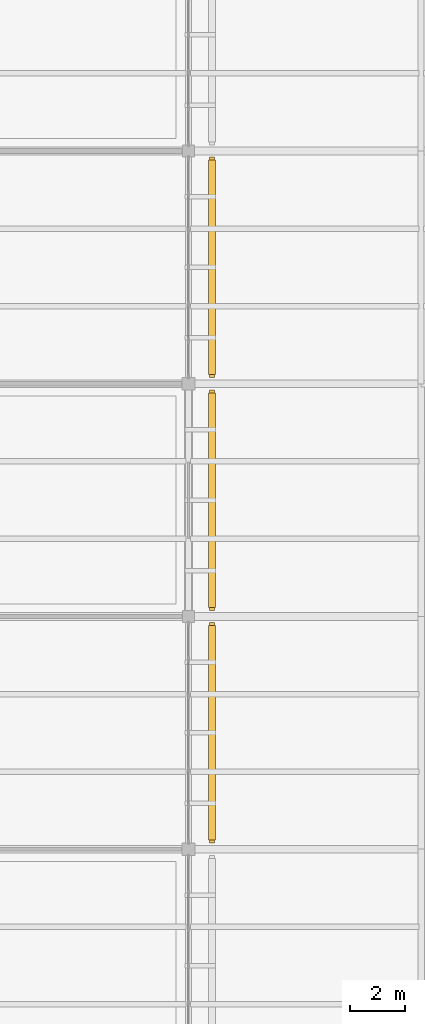
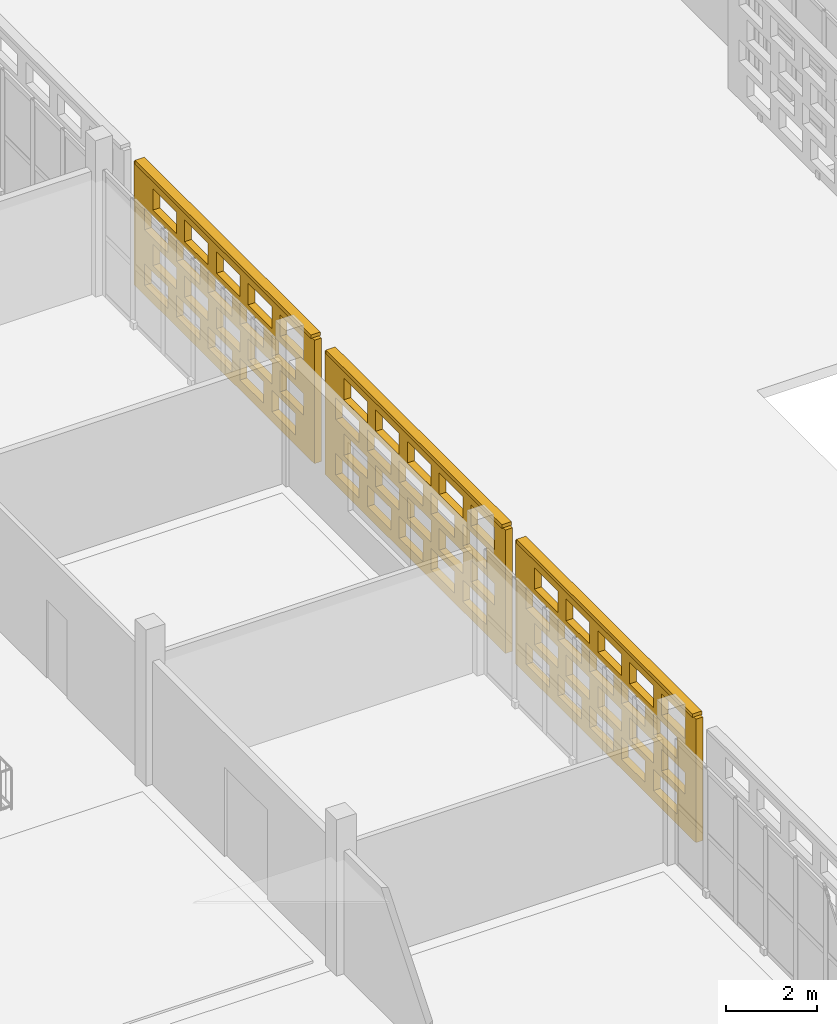
# One storey, part 130 of 166: 3 coverings, 3 shading devices, 60 openings.
"""IFC4 building model written with IfcOpenShell, lengths in metres."""

import ifcopenshell
import ifcopenshell.guid

model = None  # the IFC model being written
_history = None  # IfcOwnerHistory: only IFC2X3 demands one
_inside = {}  # id of a spatial element -> (the spatial element, [elements in it])
_under = {}  # id of a project, library or spatial element -> (it, [spatial elements below it])
_declared = {}  # id of a project -> (the project, [libraries it declares])
_typed = {}  # id of a type object -> (the type object, [elements of that type])
_made_of = {}  # id of a material, layer set ... -> (it, [elements and type objects made of it])


def new_model(schema):
    """Start an empty IFC model of exactly this schema.

    Asked for "IFC4X3", IfcOpenShell would pick the latest addendum, in which some entities
    have other attributes; the version numbers below select the first issue.
    IFC2X3 requires an IfcOwnerHistory on every rooted entity: one is made here for all.
    """
    global model, _history
    if schema == "IFC4X3":
        model = ifcopenshell.file(schema_version=(4, 3, 0, 0))
    else:
        model = ifcopenshell.file(schema=schema)
    _inside.clear()
    _under.clear()
    _declared.clear()
    _typed.clear()
    _made_of.clear()
    _history = None
    if model.schema == "IFC2X3":
        org = make("IfcOrganization", Name="unknown")
        user = make(
            "IfcPersonAndOrganization",
            ThePerson=make("IfcPerson", FamilyName="unknown"),
            TheOrganization=org,
        )
        app = make(
            "IfcApplication",
            ApplicationDeveloper=org,
            Version="unknown",
            ApplicationFullName="unknown",
            ApplicationIdentifier="unknown",
        )
        _history = make(
            "IfcOwnerHistory",
            OwningUser=user,
            OwningApplication=app,
            ChangeAction="ADDED",
            CreationDate=0,
        )
    return model


def make(cls, **values):
    """One entity of the class cls with the attributes given. An attribute that is None is left unset."""
    return model.create_entity(
        cls, **{name: value for name, value in values.items() if value is not None}
    )


def rooted(cls, **values):
    """An entity with a GlobalId (a new one), such as an element, a storey or a relation."""
    return make(cls, GlobalId=ifcopenshell.guid.new(), OwnerHistory=_history, **values)


def si_unit(unit_type, name, prefix=None):
    """IfcSIUnit, for example si_unit("LENGTHUNIT", "METRE", prefix="MILLI")."""
    return make("IfcSIUnit", UnitType=unit_type, Prefix=prefix, Name=name)


def assignment(units):
    """IfcUnitAssignment: the units of a project."""
    return None if units is None else make("IfcUnitAssignment", Units=units)


def point(xyz):
    """IfcCartesianPoint."""
    return None if xyz is None else make("IfcCartesianPoint", Coordinates=xyz)


def direction(xyz):
    """IfcDirection."""
    return None if xyz is None else make("IfcDirection", DirectionRatios=xyz)


def frame(location, z_axis=None, x_axis=None):
    """IfcAxis2Placement3D, a coordinate frame: its origin and axes. An axis left out is left unset."""
    return make(
        "IfcAxis2Placement3D",
        Location=point(location),
        Axis=direction(z_axis),
        RefDirection=direction(x_axis),
    )


def frame_2d(location, x_axis=None):
    """IfcAxis2Placement2D, a coordinate frame in the plane: its origin and x axis."""
    return make(
        "IfcAxis2Placement2D", Location=point(location), RefDirection=direction(x_axis)
    )


def origin():
    """The frame at (0, 0, 0) with its axes left unset."""
    return frame((0.0, 0.0, 0.0))


def origin_2d():
    """The frame at (0, 0) in the plane with its x axis left unset."""
    return frame_2d((0.0, 0.0))


def place(relative_to, where):
    """IfcLocalPlacement: puts the frame where relative to a parent placement (None: the world)."""
    return make(
        "IfcLocalPlacement", PlacementRelTo=relative_to, RelativePlacement=where
    )


def context(
    kind, dimensions, precision=None, world=None, true_north=None, identifier=None
):
    """IfcGeometricRepresentationContext, for example the 3D "Model" context."""
    return make(
        "IfcGeometricRepresentationContext",
        ContextIdentifier=identifier,
        ContextType=kind,
        CoordinateSpaceDimension=dimensions,
        Precision=precision,
        WorldCoordinateSystem=world,
        TrueNorth=true_north,
    )


def subcontext(parent, identifier, kind, view, scale=None):
    """IfcGeometricRepresentationSubContext, for example "Body" below "Model"."""
    return make(
        "IfcGeometricRepresentationSubContext",
        ContextIdentifier=identifier,
        ContextType=kind,
        ParentContext=parent,
        TargetScale=scale,
        TargetView=view,
    )


def project(units=None, contexts=None):
    """IfcProject with its units and contexts."""
    return rooted(
        "IfcProject",
        Name="project",
        RepresentationContexts=contexts,
        UnitsInContext=assignment(units),
    )


def spatial(cls, under=None, at=None, **own):
    """A site, building, storey or space (cls), placed at a placement, below another one or the project."""
    s = rooted(cls, ObjectPlacement=at, **own)
    if under is not None:
        _under.setdefault(under.id(), (under, []))[1].append(s)
    return s


def profile(cls, at=None, kind="AREA", **sizes):
    """A parametric profile (cls). Its sizes go by their IFC names, for example OverallWidth=200.0."""
    return make(cls, ProfileType=kind, Position=at, **sizes)


def rectangle(**sizes):
    """IfcRectangleProfileDef."""
    return profile("IfcRectangleProfileDef", **sizes)


def extrude(swept, where, along, depth):
    """IfcExtrudedAreaSolid: the profile swept, set in the frame where, extruded along a direction by depth."""
    return make(
        "IfcExtrudedAreaSolid",
        SweptArea=swept,
        Position=where,
        ExtrudedDirection=direction(along),
        Depth=depth,
    )


def shape(context_of_items, identifier, shape_type, items):
    """IfcShapeRepresentation: the items that make up one representation, for example the "Body"."""
    return make(
        "IfcShapeRepresentation",
        ContextOfItems=context_of_items,
        RepresentationIdentifier=identifier,
        RepresentationType=shape_type,
        Items=items,
    )


def material(Name=None, Category=None):
    """IfcMaterial."""
    return make("IfcMaterial", Name=Name, Category=Category)


def layer(
    of_material, thickness, ventilated=None, Name=None, Category=None, Priority=None
):
    """IfcMaterialLayer: one layer of a wall or slab, of a material (None: an air gap)."""
    return make(
        "IfcMaterialLayer",
        Material=of_material,
        LayerThickness=thickness,
        IsVentilated=ventilated,
        Name=Name,
        Category=Category,
        Priority=Priority,
    )


def layer_set(layers, Name=None):
    """IfcMaterialLayerSet."""
    return make("IfcMaterialLayerSet", MaterialLayers=layers, LayerSetName=Name)


def made_of(thing, what):
    """Note that an element or type object is made of a material, layer set ...; save() writes the relation."""
    if what is not None:
        _made_of.setdefault(what.id(), (what, []))[1].append(thing)
    return thing


def type_object(cls, material=None, **own):
    """A type object (cls), such as IfcWallType, which elements share."""
    return made_of(rooted(cls, **own), material)


def element(
    cls,
    number,
    at=None,
    inside=None,
    cuts=None,
    type_object=None,
    material=None,
    context=None,
    identifier="Body",
    shape_type=None,
    held_by="IfcProductDefinitionShape",
    body=None,
    shapes=None,
    **own,
):
    """One element of the class cls, such as IfcWall. Its Tag is "e" and its number.

    at: its placement. inside: the storey or other place that contains it. cuts: it is an
    opening in that element (IfcRelVoidsElement). A single representation is given by context,
    identifier, shape_type and body (its items); several are given by shapes. held_by: the class
    of the entity that holds the representations. save() writes the other relations.
    """
    e = rooted(cls, Tag="e%d" % number, ObjectPlacement=at, **own)
    if body is not None:
        shapes = [shape(context, identifier, shape_type, body)]
    if shapes is not None:
        e.Representation = make(held_by, Representations=shapes)
    if inside is not None:
        _inside.setdefault(inside.id(), (inside, []))[1].append(e)
    if cuts is not None:
        rooted(
            "IfcRelVoidsElement", RelatingBuildingElement=cuts, RelatedOpeningElement=e
        )
    if type_object is not None:
        _typed.setdefault(type_object.id(), (type_object, []))[1].append(e)
    return made_of(e, material)


def aggregate(whole, parts):
    """IfcRelAggregates: a whole, such as a stair, and the parts it consists of."""
    return rooted("IfcRelAggregates", RelatingObject=whole, RelatedObjects=parts)


def save(model, path):
    """Write the relations noted so far, then the file.

    IfcRelAggregates (storeys below a building ...), IfcRelContainedInSpatialStructure (elements
    in a storey), IfcRelDefinesByType, IfcRelAssociatesMaterial and IfcRelDeclares: one each for
    every whole, place, type object, material and project.
    """
    for whole, parts in _under.values():
        aggregate(whole, parts)
    for where, things in _inside.values():
        rooted(
            "IfcRelContainedInSpatialStructure",
            RelatedElements=things,
            RelatingStructure=where,
        )
    for kind, things in _typed.values():
        rooted("IfcRelDefinesByType", RelatedObjects=things, RelatingType=kind)
    for what, things in _made_of.values():
        rooted("IfcRelAssociatesMaterial", RelatedObjects=things, RelatingMaterial=what)
    for by, libraries in _declared.values():
        rooted("IfcRelDeclares", RelatingContext=by, RelatedDefinitions=libraries)
    model.write(path)


model = new_model("IFC4")

# Units and contexts
model_context = context("Model", 3, precision=1e-05, world=origin(), true_north=direction((0.0, 1.0)))
body_context = subcontext(model_context, "Body", "Model", "MODEL_VIEW")
ifc_project = project(units=[si_unit("LENGTHUNIT", "METRE"), si_unit("AREAUNIT", "SQUARE_METRE"), si_unit("VOLUMEUNIT", "CUBIC_METRE"), si_unit("PLANEANGLEUNIT", "RADIAN"), si_unit("MASSUNIT", "GRAM", prefix="KILO")], contexts=[model_context])

# Site, building, storey
site_placement = place(None, origin())
site = spatial("IfcSite", under=ifc_project, at=site_placement, CompositionType="ELEMENT")
building_placement = place(site_placement, origin())
building = spatial("IfcBuilding", under=site, at=building_placement, Name="Varnapada Polytechnic", CompositionType="ELEMENT")
storey_placement = place(building_placement, frame((0.0, 0.0, 9.60009765625)))
storey = spatial("IfcBuildingStorey", under=building, at=storey_placement, Name="L02", CompositionType="ELEMENT", Elevation=9.60009765625)

# Covering, openings
ifc_material = material(Name="Earth-toned architectural terracotta screen block", Category="masonry")
ifc_layer_1 = layer(ifc_material, 0.1201171875)
ifc_layer_set_1 = layer_set([ifc_layer_1], Name="Earth-toned architectural terracotta screen block")
covering_type = type_object("IfcCoveringType", Name="Terracotta Screen Cladding CLD-01", PredefinedType="CLADDING", material=ifc_layer_set_1)
covering_1_placement = place(storey_placement, frame((34.449951171875, 75.3798828125, 0.0), z_axis=(0.0, 0.0, 1.0), x_axis=(0.0, -1.0, 0.0)))
covering_1 = element("IfcCovering", 1, at=covering_1_placement, inside=storey, type_object=covering_type, Name="L02 perforated terracotta block screen (26)", PredefinedType="CLADDING", context=body_context, shape_type="SweptSolid", body=[
    extrude(rectangle(XDim=7.949951171875, YDim=0.179931640625, at=frame_2d((3.97509765625, 0.0))), origin(), (0.0, 0.0, 1.0), 3.31982421875),
])
opening_1_placement = place(covering_1_placement, frame((0.47509765625, 0.0, 0.265625)))
element("IfcOpeningElement", 2, at=opening_1_placement, cuts=covering_1, Name="Screen perforation TBS-L02-025.1", PredefinedType="OPENING", context=body_context, shape_type="SweptSolid", body=[
    extrude(rectangle(XDim=1.0400390625, YDim=0.5810546875, at=frame_2d((0.52001953125, 0.29052734375))), frame((0.0, 0.099853515625, 0.0), z_axis=(0.0, -1.0, 0.0), x_axis=(1.0, 0.0, 0.0)), (0.0, 0.0, 1.0), 0.199951171875),
])
opening_2_placement = place(covering_1_placement, frame((1.875, 0.0, 0.265625)))
element("IfcOpeningElement", 3, at=opening_2_placement, cuts=covering_1, Name="Screen perforation TBS-L02-025.2", PredefinedType="OPENING", context=body_context, shape_type="SweptSolid", body=[
    extrude(rectangle(XDim=1.0400390625, YDim=0.5810546875, at=frame_2d((0.52001953125, 0.29052734375))), frame((0.0, 0.099853515625, 0.0), z_axis=(0.0, -1.0, 0.0), x_axis=(1.0, 0.0, 0.0)), (0.0, 0.0, 1.0), 0.199951171875),
])
opening_3_placement = place(covering_1_placement, frame((3.27490234375, 0.0, 0.265625)))
element("IfcOpeningElement", 4, at=opening_3_placement, cuts=covering_1, Name="Screen perforation TBS-L02-025.3", PredefinedType="OPENING", context=body_context, shape_type="SweptSolid", body=[
    extrude(rectangle(XDim=1.0400390625, YDim=0.5810546875, at=frame_2d((0.52001953125, 0.29052734375))), frame((0.0, 0.099853515625, 0.0), z_axis=(0.0, -1.0, 0.0), x_axis=(1.0, 0.0, 0.0)), (0.0, 0.0, 1.0), 0.199951171875),
])
opening_4_placement = place(covering_1_placement, frame((4.675048828125, 0.0, 0.265625)))
element("IfcOpeningElement", 5, at=opening_4_placement, cuts=covering_1, Name="Screen perforation TBS-L02-025.4", PredefinedType="OPENING", context=body_context, shape_type="SweptSolid", body=[
    extrude(rectangle(XDim=1.0400390625, YDim=0.5810546875, at=frame_2d((0.52001953125, 0.29052734375))), frame((0.0, 0.099853515625, 0.0), z_axis=(0.0, -1.0, 0.0), x_axis=(1.0, 0.0, 0.0)), (0.0, 0.0, 1.0), 0.199951171875),
])
opening_5_placement = place(covering_1_placement, frame((6.074951171875, 0.0, 0.265625)))
element("IfcOpeningElement", 6, at=opening_5_placement, cuts=covering_1, Name="Screen perforation TBS-L02-025.5", PredefinedType="OPENING", context=body_context, shape_type="SweptSolid", body=[
    extrude(rectangle(XDim=1.0400390625, YDim=0.5810546875, at=frame_2d((0.52001953125, 0.29052734375))), frame((0.0, 0.099853515625, 0.0), z_axis=(0.0, -1.0, 0.0), x_axis=(1.0, 0.0, 0.0)), (0.0, 0.0, 1.0), 0.199951171875),
])
opening_6_placement = place(covering_1_placement, frame((0.8349609375, 0.0, 1.0126953125)))
element("IfcOpeningElement", 7, at=opening_6_placement, cuts=covering_1, Name="Screen perforation TBS-L02-025.6", PredefinedType="OPENING", context=body_context, shape_type="SweptSolid", body=[
    extrude(rectangle(XDim=1.0400390625, YDim=0.5810546875, at=frame_2d((0.52001953125, 0.29052734375))), frame((0.0, 0.099853515625, 0.0), z_axis=(0.0, -1.0, 0.0), x_axis=(1.0, 0.0, 0.0)), (0.0, 0.0, 1.0), 0.199951171875),
])
opening_7_placement = place(covering_1_placement, frame((2.235107421875, 0.0, 1.0126953125)))
element("IfcOpeningElement", 8, at=opening_7_placement, cuts=covering_1, Name="Screen perforation TBS-L02-025.7", PredefinedType="OPENING", context=body_context, shape_type="SweptSolid", body=[
    extrude(rectangle(XDim=1.0400390625, YDim=0.5810546875, at=frame_2d((0.52001953125, 0.29052734375))), frame((0.0, 0.099853515625, 0.0), z_axis=(0.0, -1.0, 0.0), x_axis=(1.0, 0.0, 0.0)), (0.0, 0.0, 1.0), 0.199951171875),
])
opening_8_placement = place(covering_1_placement, frame((3.635009765625, 0.0, 1.0126953125)))
element("IfcOpeningElement", 9, at=opening_8_placement, cuts=covering_1, Name="Screen perforation TBS-L02-025.8", PredefinedType="OPENING", context=body_context, shape_type="SweptSolid", body=[
    extrude(rectangle(XDim=1.0400390625, YDim=0.5810546875, at=frame_2d((0.52001953125, 0.29052734375))), frame((0.0, 0.099853515625, 0.0), z_axis=(0.0, -1.0, 0.0), x_axis=(1.0, 0.0, 0.0)), (0.0, 0.0, 1.0), 0.199951171875),
])
opening_9_placement = place(covering_1_placement, frame((5.034912109375, 0.0, 1.0126953125)))
element("IfcOpeningElement", 10, at=opening_9_placement, cuts=covering_1, Name="Screen perforation TBS-L02-025.9", PredefinedType="OPENING", context=body_context, shape_type="SweptSolid", body=[
    extrude(rectangle(XDim=1.0400390625, YDim=0.5810546875, at=frame_2d((0.52001953125, 0.29052734375))), frame((0.0, 0.099853515625, 0.0), z_axis=(0.0, -1.0, 0.0), x_axis=(1.0, 0.0, 0.0)), (0.0, 0.0, 1.0), 0.199951171875),
])
opening_10_placement = place(covering_1_placement, frame((6.43505859375, 0.0, 1.0126953125)))
element("IfcOpeningElement", 11, at=opening_10_placement, cuts=covering_1, Name="Screen perforation TBS-L02-025.10", PredefinedType="OPENING", context=body_context, shape_type="SweptSolid", body=[
    extrude(rectangle(XDim=1.0400390625, YDim=0.5810546875, at=frame_2d((0.52001953125, 0.29052734375))), frame((0.0, 0.099853515625, 0.0), z_axis=(0.0, -1.0, 0.0), x_axis=(1.0, 0.0, 0.0)), (0.0, 0.0, 1.0), 0.199951171875),
])
opening_11_placement = place(covering_1_placement, frame((0.47509765625, 0.0, 1.759521484375)))
element("IfcOpeningElement", 12, at=opening_11_placement, cuts=covering_1, Name="Screen perforation TBS-L02-025.11", PredefinedType="OPENING", context=body_context, shape_type="SweptSolid", body=[
    extrude(rectangle(XDim=1.0400390625, YDim=0.5810546875, at=frame_2d((0.52001953125, 0.29052734375))), frame((0.0, 0.099853515625, 0.0), z_axis=(0.0, -1.0, 0.0), x_axis=(1.0, 0.0, 0.0)), (0.0, 0.0, 1.0), 0.199951171875),
])
opening_12_placement = place(covering_1_placement, frame((1.875, 0.0, 1.759521484375)))
element("IfcOpeningElement", 13, at=opening_12_placement, cuts=covering_1, Name="Screen perforation TBS-L02-025.12", PredefinedType="OPENING", context=body_context, shape_type="SweptSolid", body=[
    extrude(rectangle(XDim=1.0400390625, YDim=0.5810546875, at=frame_2d((0.52001953125, 0.29052734375))), frame((0.0, 0.099853515625, 0.0), z_axis=(0.0, -1.0, 0.0), x_axis=(1.0, 0.0, 0.0)), (0.0, 0.0, 1.0), 0.199951171875),
])
opening_13_placement = place(covering_1_placement, frame((3.27490234375, 0.0, 1.759521484375)))
element("IfcOpeningElement", 14, at=opening_13_placement, cuts=covering_1, Name="Screen perforation TBS-L02-025.13", PredefinedType="OPENING", context=body_context, shape_type="SweptSolid", body=[
    extrude(rectangle(XDim=1.0400390625, YDim=0.5810546875, at=frame_2d((0.52001953125, 0.29052734375))), frame((0.0, 0.099853515625, 0.0), z_axis=(0.0, -1.0, 0.0), x_axis=(1.0, 0.0, 0.0)), (0.0, 0.0, 1.0), 0.199951171875),
])
opening_14_placement = place(covering_1_placement, frame((4.675048828125, 0.0, 1.759521484375)))
element("IfcOpeningElement", 15, at=opening_14_placement, cuts=covering_1, Name="Screen perforation TBS-L02-025.14", PredefinedType="OPENING", context=body_context, shape_type="SweptSolid", body=[
    extrude(rectangle(XDim=1.0400390625, YDim=0.5810546875, at=frame_2d((0.52001953125, 0.29052734375))), frame((0.0, 0.099853515625, 0.0), z_axis=(0.0, -1.0, 0.0), x_axis=(1.0, 0.0, 0.0)), (0.0, 0.0, 1.0), 0.199951171875),
])
opening_15_placement = place(covering_1_placement, frame((6.074951171875, 0.0, 1.759521484375)))
element("IfcOpeningElement", 16, at=opening_15_placement, cuts=covering_1, Name="Screen perforation TBS-L02-025.15", PredefinedType="OPENING", context=body_context, shape_type="SweptSolid", body=[
    extrude(rectangle(XDim=1.0400390625, YDim=0.5810546875, at=frame_2d((0.52001953125, 0.29052734375))), frame((0.0, 0.099853515625, 0.0), z_axis=(0.0, -1.0, 0.0), x_axis=(1.0, 0.0, 0.0)), (0.0, 0.0, 1.0), 0.199951171875),
])
opening_16_placement = place(covering_1_placement, frame((0.8349609375, 0.0, 2.506591796875)))
element("IfcOpeningElement", 17, at=opening_16_placement, cuts=covering_1, Name="Screen perforation TBS-L02-025.16", PredefinedType="OPENING", context=body_context, shape_type="SweptSolid", body=[
    extrude(rectangle(XDim=1.0400390625, YDim=0.5810546875, at=frame_2d((0.52001953125, 0.29052734375))), frame((0.0, 0.099853515625, 0.0), z_axis=(0.0, -1.0, 0.0), x_axis=(1.0, 0.0, 0.0)), (0.0, 0.0, 1.0), 0.199951171875),
])
opening_17_placement = place(covering_1_placement, frame((2.235107421875, 0.0, 2.506591796875)))
element("IfcOpeningElement", 18, at=opening_17_placement, cuts=covering_1, Name="Screen perforation TBS-L02-025.17", PredefinedType="OPENING", context=body_context, shape_type="SweptSolid", body=[
    extrude(rectangle(XDim=1.0400390625, YDim=0.5810546875, at=frame_2d((0.52001953125, 0.29052734375))), frame((0.0, 0.099853515625, 0.0), z_axis=(0.0, -1.0, 0.0), x_axis=(1.0, 0.0, 0.0)), (0.0, 0.0, 1.0), 0.199951171875),
])
opening_18_placement = place(covering_1_placement, frame((3.635009765625, 0.0, 2.506591796875)))
element("IfcOpeningElement", 19, at=opening_18_placement, cuts=covering_1, Name="Screen perforation TBS-L02-025.18", PredefinedType="OPENING", context=body_context, shape_type="SweptSolid", body=[
    extrude(rectangle(XDim=1.0400390625, YDim=0.5810546875, at=frame_2d((0.52001953125, 0.29052734375))), frame((0.0, 0.099853515625, 0.0), z_axis=(0.0, -1.0, 0.0), x_axis=(1.0, 0.0, 0.0)), (0.0, 0.0, 1.0), 0.199951171875),
])
opening_19_placement = place(covering_1_placement, frame((5.034912109375, 0.0, 2.506591796875)))
element("IfcOpeningElement", 20, at=opening_19_placement, cuts=covering_1, Name="Screen perforation TBS-L02-025.19", PredefinedType="OPENING", context=body_context, shape_type="SweptSolid", body=[
    extrude(rectangle(XDim=1.0400390625, YDim=0.5810546875, at=frame_2d((0.52001953125, 0.29052734375))), frame((0.0, 0.099853515625, 0.0), z_axis=(0.0, -1.0, 0.0), x_axis=(1.0, 0.0, 0.0)), (0.0, 0.0, 1.0), 0.199951171875),
])
opening_20_placement = place(covering_1_placement, frame((6.43505859375, 0.0, 2.506591796875)))
element("IfcOpeningElement", 21, at=opening_20_placement, cuts=covering_1, Name="Screen perforation TBS-L02-025.20", PredefinedType="OPENING", context=body_context, shape_type="SweptSolid", body=[
    extrude(rectangle(XDim=1.0400390625, YDim=0.5810546875, at=frame_2d((0.52001953125, 0.29052734375))), frame((0.0, 0.099853515625, 0.0), z_axis=(0.0, -1.0, 0.0), x_axis=(1.0, 0.0, 0.0)), (0.0, 0.0, 1.0), 0.199951171875),
])

covering_2_placement = place(storey_placement, frame((34.449951171875, 83.77001953125, 0.0), z_axis=(0.0, 0.0, 1.0), x_axis=(0.0, -1.0, 0.0)))
covering_2 = element("IfcCovering", 22, at=covering_2_placement, inside=storey, type_object=covering_type, Name="L02 perforated terracotta block screen (27)", PredefinedType="CLADDING", context=body_context, shape_type="SweptSolid", body=[
    extrude(rectangle(XDim=7.949951171875, YDim=0.179931640625, at=frame_2d((3.97509765625, 0.0))), origin(), (0.0, 0.0, 1.0), 3.31982421875),
])
opening_21_placement = place(covering_2_placement, frame((0.47509765625, 0.0, 0.265625)))
element("IfcOpeningElement", 23, at=opening_21_placement, cuts=covering_2, Name="Screen perforation TBS-L02-026.1", PredefinedType="OPENING", context=body_context, shape_type="SweptSolid", body=[
    extrude(rectangle(XDim=1.0400390625, YDim=0.5810546875, at=frame_2d((0.52001953125, 0.29052734375))), frame((0.0, 0.099853515625, 0.0), z_axis=(0.0, -1.0, 0.0), x_axis=(1.0, 0.0, 0.0)), (0.0, 0.0, 1.0), 0.199951171875),
])
opening_22_placement = place(covering_2_placement, frame((1.875, 0.0, 0.265625)))
element("IfcOpeningElement", 24, at=opening_22_placement, cuts=covering_2, Name="Screen perforation TBS-L02-026.2", PredefinedType="OPENING", context=body_context, shape_type="SweptSolid", body=[
    extrude(rectangle(XDim=1.0400390625, YDim=0.5810546875, at=frame_2d((0.52001953125, 0.29052734375))), frame((0.0, 0.099853515625, 0.0), z_axis=(0.0, -1.0, 0.0), x_axis=(1.0, 0.0, 0.0)), (0.0, 0.0, 1.0), 0.199951171875),
])
opening_23_placement = place(covering_2_placement, frame((3.27490234375, 0.0, 0.265625)))
element("IfcOpeningElement", 25, at=opening_23_placement, cuts=covering_2, Name="Screen perforation TBS-L02-026.3", PredefinedType="OPENING", context=body_context, shape_type="SweptSolid", body=[
    extrude(rectangle(XDim=1.0400390625, YDim=0.5810546875, at=frame_2d((0.52001953125, 0.29052734375))), frame((0.0, 0.099853515625, 0.0), z_axis=(0.0, -1.0, 0.0), x_axis=(1.0, 0.0, 0.0)), (0.0, 0.0, 1.0), 0.199951171875),
])
opening_24_placement = place(covering_2_placement, frame((4.675048828125, 0.0, 0.265625)))
element("IfcOpeningElement", 26, at=opening_24_placement, cuts=covering_2, Name="Screen perforation TBS-L02-026.4", PredefinedType="OPENING", context=body_context, shape_type="SweptSolid", body=[
    extrude(rectangle(XDim=1.0400390625, YDim=0.5810546875, at=frame_2d((0.52001953125, 0.29052734375))), frame((0.0, 0.099853515625, 0.0), z_axis=(0.0, -1.0, 0.0), x_axis=(1.0, 0.0, 0.0)), (0.0, 0.0, 1.0), 0.199951171875),
])
opening_25_placement = place(covering_2_placement, frame((6.074951171875, 0.0, 0.265625)))
element("IfcOpeningElement", 27, at=opening_25_placement, cuts=covering_2, Name="Screen perforation TBS-L02-026.5", PredefinedType="OPENING", context=body_context, shape_type="SweptSolid", body=[
    extrude(rectangle(XDim=1.0400390625, YDim=0.5810546875, at=frame_2d((0.52001953125, 0.29052734375))), frame((0.0, 0.099853515625, 0.0), z_axis=(0.0, -1.0, 0.0), x_axis=(1.0, 0.0, 0.0)), (0.0, 0.0, 1.0), 0.199951171875),
])
opening_26_placement = place(covering_2_placement, frame((0.8349609375, 0.0, 1.0126953125)))
element("IfcOpeningElement", 28, at=opening_26_placement, cuts=covering_2, Name="Screen perforation TBS-L02-026.6", PredefinedType="OPENING", context=body_context, shape_type="SweptSolid", body=[
    extrude(rectangle(XDim=1.0400390625, YDim=0.5810546875, at=frame_2d((0.52001953125, 0.29052734375))), frame((0.0, 0.099853515625, 0.0), z_axis=(0.0, -1.0, 0.0), x_axis=(1.0, 0.0, 0.0)), (0.0, 0.0, 1.0), 0.199951171875),
])
opening_27_placement = place(covering_2_placement, frame((2.235107421875, 0.0, 1.0126953125)))
element("IfcOpeningElement", 29, at=opening_27_placement, cuts=covering_2, Name="Screen perforation TBS-L02-026.7", PredefinedType="OPENING", context=body_context, shape_type="SweptSolid", body=[
    extrude(rectangle(XDim=1.0400390625, YDim=0.5810546875, at=frame_2d((0.52001953125, 0.29052734375))), frame((0.0, 0.099853515625, 0.0), z_axis=(0.0, -1.0, 0.0), x_axis=(1.0, 0.0, 0.0)), (0.0, 0.0, 1.0), 0.199951171875),
])
opening_28_placement = place(covering_2_placement, frame((3.635009765625, 0.0, 1.0126953125)))
element("IfcOpeningElement", 30, at=opening_28_placement, cuts=covering_2, Name="Screen perforation TBS-L02-026.8", PredefinedType="OPENING", context=body_context, shape_type="SweptSolid", body=[
    extrude(rectangle(XDim=1.0400390625, YDim=0.5810546875, at=frame_2d((0.52001953125, 0.29052734375))), frame((0.0, 0.099853515625, 0.0), z_axis=(0.0, -1.0, 0.0), x_axis=(1.0, 0.0, 0.0)), (0.0, 0.0, 1.0), 0.199951171875),
])
opening_29_placement = place(covering_2_placement, frame((5.034912109375, 0.0, 1.0126953125)))
element("IfcOpeningElement", 31, at=opening_29_placement, cuts=covering_2, Name="Screen perforation TBS-L02-026.9", PredefinedType="OPENING", context=body_context, shape_type="SweptSolid", body=[
    extrude(rectangle(XDim=1.0400390625, YDim=0.5810546875, at=frame_2d((0.52001953125, 0.29052734375))), frame((0.0, 0.099853515625, 0.0), z_axis=(0.0, -1.0, 0.0), x_axis=(1.0, 0.0, 0.0)), (0.0, 0.0, 1.0), 0.199951171875),
])
opening_30_placement = place(covering_2_placement, frame((6.43505859375, 0.0, 1.0126953125)))
element("IfcOpeningElement", 32, at=opening_30_placement, cuts=covering_2, Name="Screen perforation TBS-L02-026.10", PredefinedType="OPENING", context=body_context, shape_type="SweptSolid", body=[
    extrude(rectangle(XDim=1.0400390625, YDim=0.5810546875, at=frame_2d((0.52001953125, 0.29052734375))), frame((0.0, 0.099853515625, 0.0), z_axis=(0.0, -1.0, 0.0), x_axis=(1.0, 0.0, 0.0)), (0.0, 0.0, 1.0), 0.199951171875),
])
opening_31_placement = place(covering_2_placement, frame((0.47509765625, 0.0, 1.759521484375)))
element("IfcOpeningElement", 33, at=opening_31_placement, cuts=covering_2, Name="Screen perforation TBS-L02-026.11", PredefinedType="OPENING", context=body_context, shape_type="SweptSolid", body=[
    extrude(rectangle(XDim=1.0400390625, YDim=0.5810546875, at=frame_2d((0.52001953125, 0.29052734375))), frame((0.0, 0.099853515625, 0.0), z_axis=(0.0, -1.0, 0.0), x_axis=(1.0, 0.0, 0.0)), (0.0, 0.0, 1.0), 0.199951171875),
])
opening_32_placement = place(covering_2_placement, frame((1.875, 0.0, 1.759521484375)))
element("IfcOpeningElement", 34, at=opening_32_placement, cuts=covering_2, Name="Screen perforation TBS-L02-026.12", PredefinedType="OPENING", context=body_context, shape_type="SweptSolid", body=[
    extrude(rectangle(XDim=1.0400390625, YDim=0.5810546875, at=frame_2d((0.52001953125, 0.29052734375))), frame((0.0, 0.099853515625, 0.0), z_axis=(0.0, -1.0, 0.0), x_axis=(1.0, 0.0, 0.0)), (0.0, 0.0, 1.0), 0.199951171875),
])
opening_33_placement = place(covering_2_placement, frame((3.27490234375, 0.0, 1.759521484375)))
element("IfcOpeningElement", 35, at=opening_33_placement, cuts=covering_2, Name="Screen perforation TBS-L02-026.13", PredefinedType="OPENING", context=body_context, shape_type="SweptSolid", body=[
    extrude(rectangle(XDim=1.0400390625, YDim=0.5810546875, at=frame_2d((0.52001953125, 0.29052734375))), frame((0.0, 0.099853515625, 0.0), z_axis=(0.0, -1.0, 0.0), x_axis=(1.0, 0.0, 0.0)), (0.0, 0.0, 1.0), 0.199951171875),
])
opening_34_placement = place(covering_2_placement, frame((4.675048828125, 0.0, 1.759521484375)))
element("IfcOpeningElement", 36, at=opening_34_placement, cuts=covering_2, Name="Screen perforation TBS-L02-026.14", PredefinedType="OPENING", context=body_context, shape_type="SweptSolid", body=[
    extrude(rectangle(XDim=1.0400390625, YDim=0.5810546875, at=frame_2d((0.52001953125, 0.29052734375))), frame((0.0, 0.099853515625, 0.0), z_axis=(0.0, -1.0, 0.0), x_axis=(1.0, 0.0, 0.0)), (0.0, 0.0, 1.0), 0.199951171875),
])
opening_35_placement = place(covering_2_placement, frame((6.074951171875, 0.0, 1.759521484375)))
element("IfcOpeningElement", 37, at=opening_35_placement, cuts=covering_2, Name="Screen perforation TBS-L02-026.15", PredefinedType="OPENING", context=body_context, shape_type="SweptSolid", body=[
    extrude(rectangle(XDim=1.0400390625, YDim=0.5810546875, at=frame_2d((0.52001953125, 0.29052734375))), frame((0.0, 0.099853515625, 0.0), z_axis=(0.0, -1.0, 0.0), x_axis=(1.0, 0.0, 0.0)), (0.0, 0.0, 1.0), 0.199951171875),
])
opening_36_placement = place(covering_2_placement, frame((0.8349609375, 0.0, 2.506591796875)))
element("IfcOpeningElement", 38, at=opening_36_placement, cuts=covering_2, Name="Screen perforation TBS-L02-026.16", PredefinedType="OPENING", context=body_context, shape_type="SweptSolid", body=[
    extrude(rectangle(XDim=1.0400390625, YDim=0.5810546875, at=frame_2d((0.52001953125, 0.29052734375))), frame((0.0, 0.099853515625, 0.0), z_axis=(0.0, -1.0, 0.0), x_axis=(1.0, 0.0, 0.0)), (0.0, 0.0, 1.0), 0.199951171875),
])
opening_37_placement = place(covering_2_placement, frame((2.235107421875, 0.0, 2.506591796875)))
element("IfcOpeningElement", 39, at=opening_37_placement, cuts=covering_2, Name="Screen perforation TBS-L02-026.17", PredefinedType="OPENING", context=body_context, shape_type="SweptSolid", body=[
    extrude(rectangle(XDim=1.0400390625, YDim=0.5810546875, at=frame_2d((0.52001953125, 0.29052734375))), frame((0.0, 0.099853515625, 0.0), z_axis=(0.0, -1.0, 0.0), x_axis=(1.0, 0.0, 0.0)), (0.0, 0.0, 1.0), 0.199951171875),
])
opening_38_placement = place(covering_2_placement, frame((3.635009765625, 0.0, 2.506591796875)))
element("IfcOpeningElement", 40, at=opening_38_placement, cuts=covering_2, Name="Screen perforation TBS-L02-026.18", PredefinedType="OPENING", context=body_context, shape_type="SweptSolid", body=[
    extrude(rectangle(XDim=1.0400390625, YDim=0.5810546875, at=frame_2d((0.52001953125, 0.29052734375))), frame((0.0, 0.099853515625, 0.0), z_axis=(0.0, -1.0, 0.0), x_axis=(1.0, 0.0, 0.0)), (0.0, 0.0, 1.0), 0.199951171875),
])
opening_39_placement = place(covering_2_placement, frame((5.034912109375, 0.0, 2.506591796875)))
element("IfcOpeningElement", 41, at=opening_39_placement, cuts=covering_2, Name="Screen perforation TBS-L02-026.19", PredefinedType="OPENING", context=body_context, shape_type="SweptSolid", body=[
    extrude(rectangle(XDim=1.0400390625, YDim=0.5810546875, at=frame_2d((0.52001953125, 0.29052734375))), frame((0.0, 0.099853515625, 0.0), z_axis=(0.0, -1.0, 0.0), x_axis=(1.0, 0.0, 0.0)), (0.0, 0.0, 1.0), 0.199951171875),
])
opening_40_placement = place(covering_2_placement, frame((6.43505859375, 0.0, 2.506591796875)))
element("IfcOpeningElement", 42, at=opening_40_placement, cuts=covering_2, Name="Screen perforation TBS-L02-026.20", PredefinedType="OPENING", context=body_context, shape_type="SweptSolid", body=[
    extrude(rectangle(XDim=1.0400390625, YDim=0.5810546875, at=frame_2d((0.52001953125, 0.29052734375))), frame((0.0, 0.099853515625, 0.0), z_axis=(0.0, -1.0, 0.0), x_axis=(1.0, 0.0, 0.0)), (0.0, 0.0, 1.0), 0.199951171875),
])

covering_3_placement = place(storey_placement, frame((34.449951171875, 92.179931640625, 0.0), z_axis=(0.0, 0.0, 1.0), x_axis=(0.0, -1.0, 0.0)))
covering_3 = element("IfcCovering", 43, at=covering_3_placement, inside=storey, type_object=covering_type, Name="L02 perforated terracotta block screen (28)", PredefinedType="CLADDING", context=body_context, shape_type="SweptSolid", body=[
    extrude(rectangle(XDim=7.949951171875, YDim=0.179931640625, at=frame_2d((3.97509765625, 0.0))), origin(), (0.0, 0.0, 1.0), 3.31982421875),
])
opening_41_placement = place(covering_3_placement, frame((0.47509765625, 0.0, 0.265625)))
element("IfcOpeningElement", 44, at=opening_41_placement, cuts=covering_3, Name="Screen perforation TBS-L02-027.1", PredefinedType="OPENING", context=body_context, shape_type="SweptSolid", body=[
    extrude(rectangle(XDim=1.0400390625, YDim=0.5810546875, at=frame_2d((0.52001953125, 0.29052734375))), frame((0.0, 0.099853515625, 0.0), z_axis=(0.0, -1.0, 0.0), x_axis=(1.0, 0.0, 0.0)), (0.0, 0.0, 1.0), 0.199951171875),
])
opening_42_placement = place(covering_3_placement, frame((1.875, 0.0, 0.265625)))
element("IfcOpeningElement", 45, at=opening_42_placement, cuts=covering_3, Name="Screen perforation TBS-L02-027.2", PredefinedType="OPENING", context=body_context, shape_type="SweptSolid", body=[
    extrude(rectangle(XDim=1.0400390625, YDim=0.5810546875, at=frame_2d((0.52001953125, 0.29052734375))), frame((0.0, 0.099853515625, 0.0), z_axis=(0.0, -1.0, 0.0), x_axis=(1.0, 0.0, 0.0)), (0.0, 0.0, 1.0), 0.199951171875),
])
opening_43_placement = place(covering_3_placement, frame((3.27490234375, 0.0, 0.265625)))
element("IfcOpeningElement", 46, at=opening_43_placement, cuts=covering_3, Name="Screen perforation TBS-L02-027.3", PredefinedType="OPENING", context=body_context, shape_type="SweptSolid", body=[
    extrude(rectangle(XDim=1.0400390625, YDim=0.5810546875, at=frame_2d((0.52001953125, 0.29052734375))), frame((0.0, 0.099853515625, 0.0), z_axis=(0.0, -1.0, 0.0), x_axis=(1.0, 0.0, 0.0)), (0.0, 0.0, 1.0), 0.199951171875),
])
opening_44_placement = place(covering_3_placement, frame((4.675048828125, 0.0, 0.265625)))
element("IfcOpeningElement", 47, at=opening_44_placement, cuts=covering_3, Name="Screen perforation TBS-L02-027.4", PredefinedType="OPENING", context=body_context, shape_type="SweptSolid", body=[
    extrude(rectangle(XDim=1.0400390625, YDim=0.5810546875, at=frame_2d((0.52001953125, 0.29052734375))), frame((0.0, 0.099853515625, 0.0), z_axis=(0.0, -1.0, 0.0), x_axis=(1.0, 0.0, 0.0)), (0.0, 0.0, 1.0), 0.199951171875),
])
opening_45_placement = place(covering_3_placement, frame((6.074951171875, 0.0, 0.265625)))
element("IfcOpeningElement", 48, at=opening_45_placement, cuts=covering_3, Name="Screen perforation TBS-L02-027.5", PredefinedType="OPENING", context=body_context, shape_type="SweptSolid", body=[
    extrude(rectangle(XDim=1.0400390625, YDim=0.5810546875, at=frame_2d((0.52001953125, 0.29052734375))), frame((0.0, 0.099853515625, 0.0), z_axis=(0.0, -1.0, 0.0), x_axis=(1.0, 0.0, 0.0)), (0.0, 0.0, 1.0), 0.199951171875),
])
opening_46_placement = place(covering_3_placement, frame((0.8349609375, 0.0, 1.0126953125)))
element("IfcOpeningElement", 49, at=opening_46_placement, cuts=covering_3, Name="Screen perforation TBS-L02-027.6", PredefinedType="OPENING", context=body_context, shape_type="SweptSolid", body=[
    extrude(rectangle(XDim=1.0400390625, YDim=0.5810546875, at=frame_2d((0.52001953125, 0.29052734375))), frame((0.0, 0.099853515625, 0.0), z_axis=(0.0, -1.0, 0.0), x_axis=(1.0, 0.0, 0.0)), (0.0, 0.0, 1.0), 0.199951171875),
])
opening_47_placement = place(covering_3_placement, frame((2.235107421875, 0.0, 1.0126953125)))
element("IfcOpeningElement", 50, at=opening_47_placement, cuts=covering_3, Name="Screen perforation TBS-L02-027.7", PredefinedType="OPENING", context=body_context, shape_type="SweptSolid", body=[
    extrude(rectangle(XDim=1.0400390625, YDim=0.5810546875, at=frame_2d((0.52001953125, 0.29052734375))), frame((0.0, 0.099853515625, 0.0), z_axis=(0.0, -1.0, 0.0), x_axis=(1.0, 0.0, 0.0)), (0.0, 0.0, 1.0), 0.199951171875),
])
opening_48_placement = place(covering_3_placement, frame((3.635009765625, 0.0, 1.0126953125)))
element("IfcOpeningElement", 51, at=opening_48_placement, cuts=covering_3, Name="Screen perforation TBS-L02-027.8", PredefinedType="OPENING", context=body_context, shape_type="SweptSolid", body=[
    extrude(rectangle(XDim=1.0400390625, YDim=0.5810546875, at=frame_2d((0.52001953125, 0.29052734375))), frame((0.0, 0.099853515625, 0.0), z_axis=(0.0, -1.0, 0.0), x_axis=(1.0, 0.0, 0.0)), (0.0, 0.0, 1.0), 0.199951171875),
])
opening_49_placement = place(covering_3_placement, frame((5.034912109375, 0.0, 1.0126953125)))
element("IfcOpeningElement", 52, at=opening_49_placement, cuts=covering_3, Name="Screen perforation TBS-L02-027.9", PredefinedType="OPENING", context=body_context, shape_type="SweptSolid", body=[
    extrude(rectangle(XDim=1.0400390625, YDim=0.5810546875, at=frame_2d((0.52001953125, 0.29052734375))), frame((0.0, 0.099853515625, 0.0), z_axis=(0.0, -1.0, 0.0), x_axis=(1.0, 0.0, 0.0)), (0.0, 0.0, 1.0), 0.199951171875),
])
opening_50_placement = place(covering_3_placement, frame((6.43505859375, 0.0, 1.0126953125)))
element("IfcOpeningElement", 53, at=opening_50_placement, cuts=covering_3, Name="Screen perforation TBS-L02-027.10", PredefinedType="OPENING", context=body_context, shape_type="SweptSolid", body=[
    extrude(rectangle(XDim=1.0400390625, YDim=0.5810546875, at=frame_2d((0.52001953125, 0.29052734375))), frame((0.0, 0.099853515625, 0.0), z_axis=(0.0, -1.0, 0.0), x_axis=(1.0, 0.0, 0.0)), (0.0, 0.0, 1.0), 0.199951171875),
])
opening_51_placement = place(covering_3_placement, frame((0.47509765625, 0.0, 1.759521484375)))
element("IfcOpeningElement", 54, at=opening_51_placement, cuts=covering_3, Name="Screen perforation TBS-L02-027.11", PredefinedType="OPENING", context=body_context, shape_type="SweptSolid", body=[
    extrude(rectangle(XDim=1.0400390625, YDim=0.5810546875, at=frame_2d((0.52001953125, 0.29052734375))), frame((0.0, 0.099853515625, 0.0), z_axis=(0.0, -1.0, 0.0), x_axis=(1.0, 0.0, 0.0)), (0.0, 0.0, 1.0), 0.199951171875),
])
opening_52_placement = place(covering_3_placement, frame((1.875, 0.0, 1.759521484375)))
element("IfcOpeningElement", 55, at=opening_52_placement, cuts=covering_3, Name="Screen perforation TBS-L02-027.12", PredefinedType="OPENING", context=body_context, shape_type="SweptSolid", body=[
    extrude(rectangle(XDim=1.0400390625, YDim=0.5810546875, at=frame_2d((0.52001953125, 0.29052734375))), frame((0.0, 0.099853515625, 0.0), z_axis=(0.0, -1.0, 0.0), x_axis=(1.0, 0.0, 0.0)), (0.0, 0.0, 1.0), 0.199951171875),
])
opening_53_placement = place(covering_3_placement, frame((3.27490234375, 0.0, 1.759521484375)))
element("IfcOpeningElement", 56, at=opening_53_placement, cuts=covering_3, Name="Screen perforation TBS-L02-027.13", PredefinedType="OPENING", context=body_context, shape_type="SweptSolid", body=[
    extrude(rectangle(XDim=1.0400390625, YDim=0.5810546875, at=frame_2d((0.52001953125, 0.29052734375))), frame((0.0, 0.099853515625, 0.0), z_axis=(0.0, -1.0, 0.0), x_axis=(1.0, 0.0, 0.0)), (0.0, 0.0, 1.0), 0.199951171875),
])
opening_54_placement = place(covering_3_placement, frame((4.675048828125, 0.0, 1.759521484375)))
element("IfcOpeningElement", 57, at=opening_54_placement, cuts=covering_3, Name="Screen perforation TBS-L02-027.14", PredefinedType="OPENING", context=body_context, shape_type="SweptSolid", body=[
    extrude(rectangle(XDim=1.0400390625, YDim=0.5810546875, at=frame_2d((0.52001953125, 0.29052734375))), frame((0.0, 0.099853515625, 0.0), z_axis=(0.0, -1.0, 0.0), x_axis=(1.0, 0.0, 0.0)), (0.0, 0.0, 1.0), 0.199951171875),
])
opening_55_placement = place(covering_3_placement, frame((6.074951171875, 0.0, 1.759521484375)))
element("IfcOpeningElement", 58, at=opening_55_placement, cuts=covering_3, Name="Screen perforation TBS-L02-027.15", PredefinedType="OPENING", context=body_context, shape_type="SweptSolid", body=[
    extrude(rectangle(XDim=1.0400390625, YDim=0.5810546875, at=frame_2d((0.52001953125, 0.29052734375))), frame((0.0, 0.099853515625, 0.0), z_axis=(0.0, -1.0, 0.0), x_axis=(1.0, 0.0, 0.0)), (0.0, 0.0, 1.0), 0.199951171875),
])
opening_56_placement = place(covering_3_placement, frame((0.8349609375, 0.0, 2.506591796875)))
element("IfcOpeningElement", 59, at=opening_56_placement, cuts=covering_3, Name="Screen perforation TBS-L02-027.16", PredefinedType="OPENING", context=body_context, shape_type="SweptSolid", body=[
    extrude(rectangle(XDim=1.0400390625, YDim=0.5810546875, at=frame_2d((0.52001953125, 0.29052734375))), frame((0.0, 0.099853515625, 0.0), z_axis=(0.0, -1.0, 0.0), x_axis=(1.0, 0.0, 0.0)), (0.0, 0.0, 1.0), 0.199951171875),
])
opening_57_placement = place(covering_3_placement, frame((2.235107421875, 0.0, 2.506591796875)))
element("IfcOpeningElement", 60, at=opening_57_placement, cuts=covering_3, Name="Screen perforation TBS-L02-027.17", PredefinedType="OPENING", context=body_context, shape_type="SweptSolid", body=[
    extrude(rectangle(XDim=1.0400390625, YDim=0.5810546875, at=frame_2d((0.52001953125, 0.29052734375))), frame((0.0, 0.099853515625, 0.0), z_axis=(0.0, -1.0, 0.0), x_axis=(1.0, 0.0, 0.0)), (0.0, 0.0, 1.0), 0.199951171875),
])
opening_58_placement = place(covering_3_placement, frame((3.635009765625, 0.0, 2.506591796875)))
element("IfcOpeningElement", 61, at=opening_58_placement, cuts=covering_3, Name="Screen perforation TBS-L02-027.18", PredefinedType="OPENING", context=body_context, shape_type="SweptSolid", body=[
    extrude(rectangle(XDim=1.0400390625, YDim=0.5810546875, at=frame_2d((0.52001953125, 0.29052734375))), frame((0.0, 0.099853515625, 0.0), z_axis=(0.0, -1.0, 0.0), x_axis=(1.0, 0.0, 0.0)), (0.0, 0.0, 1.0), 0.199951171875),
])
opening_59_placement = place(covering_3_placement, frame((5.034912109375, 0.0, 2.506591796875)))
element("IfcOpeningElement", 62, at=opening_59_placement, cuts=covering_3, Name="Screen perforation TBS-L02-027.19", PredefinedType="OPENING", context=body_context, shape_type="SweptSolid", body=[
    extrude(rectangle(XDim=1.0400390625, YDim=0.5810546875, at=frame_2d((0.52001953125, 0.29052734375))), frame((0.0, 0.099853515625, 0.0), z_axis=(0.0, -1.0, 0.0), x_axis=(1.0, 0.0, 0.0)), (0.0, 0.0, 1.0), 0.199951171875),
])
opening_60_placement = place(covering_3_placement, frame((6.43505859375, 0.0, 2.506591796875)))
element("IfcOpeningElement", 63, at=opening_60_placement, cuts=covering_3, Name="Screen perforation TBS-L02-027.20", PredefinedType="OPENING", context=body_context, shape_type="SweptSolid", body=[
    extrude(rectangle(XDim=1.0400390625, YDim=0.5810546875, at=frame_2d((0.52001953125, 0.29052734375))), frame((0.0, 0.099853515625, 0.0), z_axis=(0.0, -1.0, 0.0), x_axis=(1.0, 0.0, 0.0)), (0.0, 0.0, 1.0), 0.199951171875),
])

# Shading devices
ifc_layer_2 = layer(ifc_material, 0.179931640625)
ifc_layer_set_2 = layer_set([ifc_layer_2], Name="Earth-toned architectural terracotta screen block")
shading_device_type = type_object("IfcShadingDeviceType", Name="Terracotta Screen SCR-01", PredefinedType="USERDEFINED", material=ifc_layer_set_2)
for number, where, z_axis, x_axis, name in (
    (64, (34.449951171875, 71.405029296875, 3.309814453125), (0.0, 0.0, 1.0), (0.0, -1.0, 0.0), "L02 perforated terracotta screen hood 255"),
    (65, (34.449951171875, 79.794921875, 3.309814453125), (0.0, 0.0, 1.0), (0.0, -1.0, 0.0), "L02 perforated terracotta screen hood 256"),
    (66, (34.449951171875, 88.205078125, 3.309814453125), (0.0, 0.0, 1.0), (0.0, -1.0, 0.0), "L02 perforated terracotta screen hood 257"),
):
    element("IfcShadingDevice", number, at=place(storey_placement, frame(where, z_axis=z_axis, x_axis=x_axis)), inside=storey, type_object=shading_device_type, Name=name, ObjectType="SCREEN", PredefinedType="USERDEFINED", context=body_context, shape_type="SweptSolid", body=[
        extrude(rectangle(XDim=7.75, YDim=0.239990234375, at=origin_2d()), origin(), (0.0, 0.0, 1.0), 0.10009765625),
    ])

save(model, "model.ifc")
